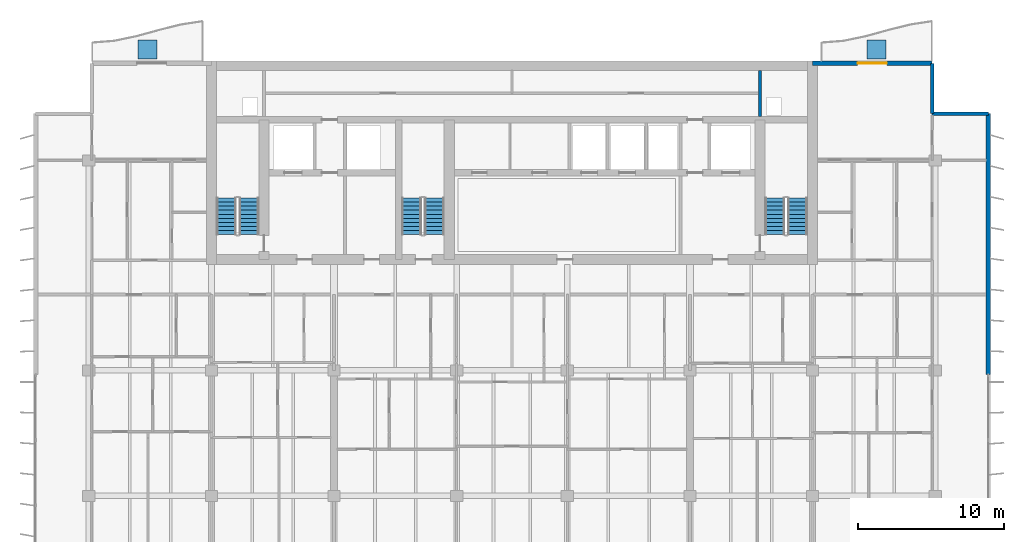
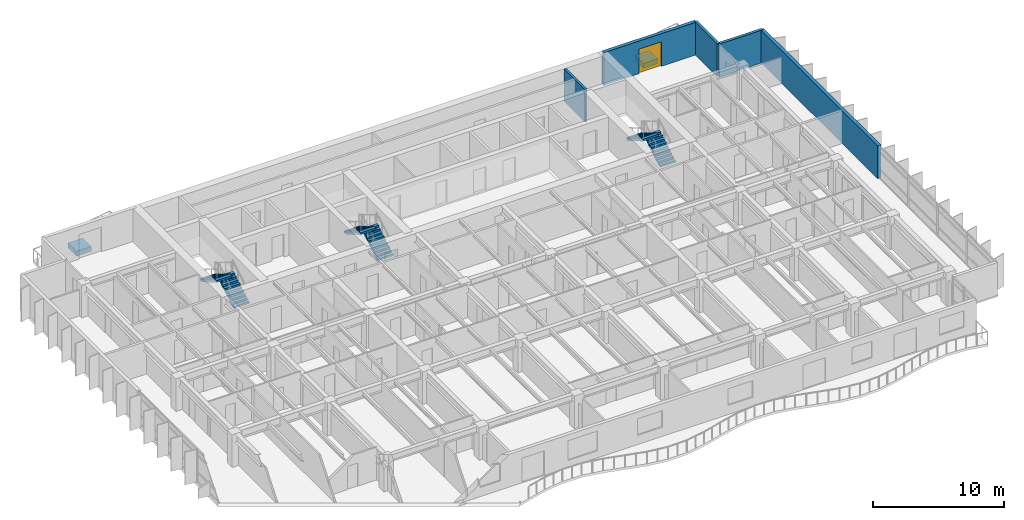
# One storey, part 14 of 18: 6 stair flights, 5 walls, 2 discrete accessories, 1 door, 1 opening, 3 elements without a shape of their own.
"""IFC4 building model written with IfcOpenShell, lengths in metres."""

import ifcopenshell
import ifcopenshell.guid

model = None  # the IFC model being written
_history = None  # IfcOwnerHistory: only IFC2X3 demands one
_inside = {}  # id of a spatial element -> (the spatial element, [elements in it])
_under = {}  # id of a project, library or spatial element -> (it, [spatial elements below it])
_declared = {}  # id of a project -> (the project, [libraries it declares])
_typed = {}  # id of a type object -> (the type object, [elements of that type])
_made_of = {}  # id of a material, layer set ... -> (it, [elements and type objects made of it])


def new_model(schema):
    """Start an empty IFC model of exactly this schema.

    Asked for "IFC4X3", IfcOpenShell would pick the latest addendum, in which some entities
    have other attributes; the version numbers below select the first issue.
    IFC2X3 requires an IfcOwnerHistory on every rooted entity: one is made here for all.
    """
    global model, _history
    if schema == "IFC4X3":
        model = ifcopenshell.file(schema_version=(4, 3, 0, 0))
    else:
        model = ifcopenshell.file(schema=schema)
    _inside.clear()
    _under.clear()
    _declared.clear()
    _typed.clear()
    _made_of.clear()
    _history = None
    if model.schema == "IFC2X3":
        org = make("IfcOrganization", Name="unknown")
        user = make(
            "IfcPersonAndOrganization",
            ThePerson=make("IfcPerson", FamilyName="unknown"),
            TheOrganization=org,
        )
        app = make(
            "IfcApplication",
            ApplicationDeveloper=org,
            Version="unknown",
            ApplicationFullName="unknown",
            ApplicationIdentifier="unknown",
        )
        _history = make(
            "IfcOwnerHistory",
            OwningUser=user,
            OwningApplication=app,
            ChangeAction="ADDED",
            CreationDate=0,
        )
    return model


def make(cls, **values):
    """One entity of the class cls with the attributes given. An attribute that is None is left unset."""
    return model.create_entity(
        cls, **{name: value for name, value in values.items() if value is not None}
    )


def rooted(cls, **values):
    """An entity with a GlobalId (a new one), such as an element, a storey or a relation."""
    return make(cls, GlobalId=ifcopenshell.guid.new(), OwnerHistory=_history, **values)


def si_unit(unit_type, name, prefix=None):
    """IfcSIUnit, for example si_unit("LENGTHUNIT", "METRE", prefix="MILLI")."""
    return make("IfcSIUnit", UnitType=unit_type, Prefix=prefix, Name=name)


def assignment(units):
    """IfcUnitAssignment: the units of a project."""
    return None if units is None else make("IfcUnitAssignment", Units=units)


def point(xyz):
    """IfcCartesianPoint."""
    return None if xyz is None else make("IfcCartesianPoint", Coordinates=xyz)


def direction(xyz):
    """IfcDirection."""
    return None if xyz is None else make("IfcDirection", DirectionRatios=xyz)


def frame(location, z_axis=None, x_axis=None):
    """IfcAxis2Placement3D, a coordinate frame: its origin and axes. An axis left out is left unset."""
    return make(
        "IfcAxis2Placement3D",
        Location=point(location),
        Axis=direction(z_axis),
        RefDirection=direction(x_axis),
    )


def frame_2d(location, x_axis=None):
    """IfcAxis2Placement2D, a coordinate frame in the plane: its origin and x axis."""
    return make(
        "IfcAxis2Placement2D", Location=point(location), RefDirection=direction(x_axis)
    )


def origin():
    """The frame at (0, 0, 0) with its axes left unset."""
    return frame((0.0, 0.0, 0.0))


def origin_2d():
    """The frame at (0, 0) in the plane with its x axis left unset."""
    return frame_2d((0.0, 0.0))


def place(relative_to, where):
    """IfcLocalPlacement: puts the frame where relative to a parent placement (None: the world)."""
    return make(
        "IfcLocalPlacement", PlacementRelTo=relative_to, RelativePlacement=where
    )


def context(
    kind, dimensions, precision=None, world=None, true_north=None, identifier=None
):
    """IfcGeometricRepresentationContext, for example the 3D "Model" context."""
    return make(
        "IfcGeometricRepresentationContext",
        ContextIdentifier=identifier,
        ContextType=kind,
        CoordinateSpaceDimension=dimensions,
        Precision=precision,
        WorldCoordinateSystem=world,
        TrueNorth=true_north,
    )


def subcontext(parent, identifier, kind, view, scale=None):
    """IfcGeometricRepresentationSubContext, for example "Body" below "Model"."""
    return make(
        "IfcGeometricRepresentationSubContext",
        ContextIdentifier=identifier,
        ContextType=kind,
        ParentContext=parent,
        TargetScale=scale,
        TargetView=view,
    )


def project(units=None, contexts=None):
    """IfcProject with its units and contexts."""
    return rooted(
        "IfcProject",
        Name="project",
        RepresentationContexts=contexts,
        UnitsInContext=assignment(units),
    )


def spatial(cls, under=None, at=None, **own):
    """A site, building, storey or space (cls), placed at a placement, below another one or the project."""
    s = rooted(cls, ObjectPlacement=at, **own)
    if under is not None:
        _under.setdefault(under.id(), (under, []))[1].append(s)
    return s


def polyline(points):
    """IfcPolyline through the points."""
    return make("IfcPolyline", Points=[point(p) for p in points])


def profile(cls, at=None, kind="AREA", **sizes):
    """A parametric profile (cls). Its sizes go by their IFC names, for example OverallWidth=200.0."""
    return make(cls, ProfileType=kind, Position=at, **sizes)


def rectangle(**sizes):
    """IfcRectangleProfileDef."""
    return profile("IfcRectangleProfileDef", **sizes)


def outline(outer, holes=None, kind="AREA"):
    """IfcArbitraryClosedProfileDef: a profile drawn as a closed curve; with holes, ...WithVoids."""
    if holes is None:
        return make("IfcArbitraryClosedProfileDef", ProfileType=kind, OuterCurve=outer)
    return make(
        "IfcArbitraryProfileDefWithVoids",
        ProfileType=kind,
        OuterCurve=outer,
        InnerCurves=holes,
    )


def extrude(swept, where, along, depth):
    """IfcExtrudedAreaSolid: the profile swept, set in the frame where, extruded along a direction by depth."""
    return make(
        "IfcExtrudedAreaSolid",
        SweptArea=swept,
        Position=where,
        ExtrudedDirection=direction(along),
        Depth=depth,
    )


def shape(context_of_items, identifier, shape_type, items):
    """IfcShapeRepresentation: the items that make up one representation, for example the "Body"."""
    return make(
        "IfcShapeRepresentation",
        ContextOfItems=context_of_items,
        RepresentationIdentifier=identifier,
        RepresentationType=shape_type,
        Items=items,
    )


def material(Name=None, Category=None):
    """IfcMaterial."""
    return make("IfcMaterial", Name=Name, Category=Category)


def layer(
    of_material, thickness, ventilated=None, Name=None, Category=None, Priority=None
):
    """IfcMaterialLayer: one layer of a wall or slab, of a material (None: an air gap)."""
    return make(
        "IfcMaterialLayer",
        Material=of_material,
        LayerThickness=thickness,
        IsVentilated=ventilated,
        Name=Name,
        Category=Category,
        Priority=Priority,
    )


def layer_set(layers, Name=None):
    """IfcMaterialLayerSet."""
    return make("IfcMaterialLayerSet", MaterialLayers=layers, LayerSetName=Name)


def made_of(thing, what):
    """Note that an element or type object is made of a material, layer set ...; save() writes the relation."""
    if what is not None:
        _made_of.setdefault(what.id(), (what, []))[1].append(thing)
    return thing


def type_object(cls, material=None, **own):
    """A type object (cls), such as IfcWallType, which elements share."""
    return made_of(rooted(cls, **own), material)


def element(
    cls,
    number,
    at=None,
    inside=None,
    cuts=None,
    type_object=None,
    material=None,
    context=None,
    identifier="Body",
    shape_type=None,
    held_by="IfcProductDefinitionShape",
    body=None,
    shapes=None,
    **own,
):
    """One element of the class cls, such as IfcWall. Its Tag is "e" and its number.

    at: its placement. inside: the storey or other place that contains it. cuts: it is an
    opening in that element (IfcRelVoidsElement). A single representation is given by context,
    identifier, shape_type and body (its items); several are given by shapes. held_by: the class
    of the entity that holds the representations. save() writes the other relations.
    """
    e = rooted(cls, Tag="e%d" % number, ObjectPlacement=at, **own)
    if body is not None:
        shapes = [shape(context, identifier, shape_type, body)]
    if shapes is not None:
        e.Representation = make(held_by, Representations=shapes)
    if inside is not None:
        _inside.setdefault(inside.id(), (inside, []))[1].append(e)
    if cuts is not None:
        rooted(
            "IfcRelVoidsElement", RelatingBuildingElement=cuts, RelatedOpeningElement=e
        )
    if type_object is not None:
        _typed.setdefault(type_object.id(), (type_object, []))[1].append(e)
    return made_of(e, material)


def fill(opening, filler):
    """IfcRelFillsElement: the door or window that sits in an opening."""
    return rooted(
        "IfcRelFillsElement",
        RelatingOpeningElement=opening,
        RelatedBuildingElement=filler,
    )


def aggregate(whole, parts):
    """IfcRelAggregates: a whole, such as a stair, and the parts it consists of."""
    return rooted("IfcRelAggregates", RelatingObject=whole, RelatedObjects=parts)


def save(model, path):
    """Write the relations noted so far, then the file.

    IfcRelAggregates (storeys below a building ...), IfcRelContainedInSpatialStructure (elements
    in a storey), IfcRelDefinesByType, IfcRelAssociatesMaterial and IfcRelDeclares: one each for
    every whole, place, type object, material and project.
    """
    for whole, parts in _under.values():
        aggregate(whole, parts)
    for where, things in _inside.values():
        rooted(
            "IfcRelContainedInSpatialStructure",
            RelatedElements=things,
            RelatingStructure=where,
        )
    for kind, things in _typed.values():
        rooted("IfcRelDefinesByType", RelatedObjects=things, RelatingType=kind)
    for what, things in _made_of.values():
        rooted("IfcRelAssociatesMaterial", RelatedObjects=things, RelatingMaterial=what)
    for by, libraries in _declared.values():
        rooted("IfcRelDeclares", RelatingContext=by, RelatedDefinitions=libraries)
    model.write(path)


model = new_model("IFC4")

# Units and contexts
model_context = context("Model", 3, precision=1e-05, world=origin(), true_north=direction((0.0, 1.0)))
body_context = subcontext(model_context, "Body", "Model", "MODEL_VIEW")
ifc_project = project(units=[si_unit("LENGTHUNIT", "METRE"), si_unit("AREAUNIT", "SQUARE_METRE"), si_unit("VOLUMEUNIT", "CUBIC_METRE"), si_unit("PLANEANGLEUNIT", "RADIAN"), si_unit("MASSUNIT", "GRAM", prefix="KILO")], contexts=[model_context])

# Site, building, storey
site_placement = place(None, origin())
site = spatial("IfcSite", under=ifc_project, at=site_placement, CompositionType="ELEMENT")
building_placement = place(site_placement, origin())
building = spatial("IfcBuilding", under=site, at=building_placement, Name="Caelmar Bay Residences", CompositionType="ELEMENT")
storey_placement = place(building_placement, frame((0.0, 0.0, 173.699951171875)))
storey = spatial("IfcBuildingStorey", under=building, at=storey_placement, Name="L48", CompositionType="ELEMENT", Elevation=173.699951171875)

# Walls
ifc_material_1 = material(Name="Precast concrete f'c 40 MPa (6,000 psi)", Category="concrete")
ifc_layer_1 = layer(ifc_material_1, 0.25)
ifc_layer_set_1 = layer_set([ifc_layer_1], Name="Precast concrete f'c 40 MPa (6,000 psi)")
wall_type_1 = type_object("IfcWallType", Name="W-EXT-250", PredefinedType="ELEMENTEDWALL", material=ifc_layer_set_1)
wall_1_placement = place(storey_placement, frame((67.699951171875, 50.449951171875, 0.0), z_axis=(0.0, 0.0, 1.0), x_axis=(0.0, -1.0, 0.0)))
element("IfcWall", 1, at=wall_1_placement, inside=storey, type_object=wall_type_1, Name="L48 NNE-V Notch Wall", PredefinedType="ELEMENTEDWALL", context=body_context, shape_type="SweptSolid", body=[
    extrude(rectangle(XDim=3.449951171875, YDim=0.25, at=frame_2d((1.72509765625, 0.0))), origin(), (0.0, 0.0, 1.0), 3.050048828125),
])
wall_2_placement = place(storey_placement, frame((67.699951171875, 47.0, 0.0), z_axis=(0.0, 0.0, 1.0), x_axis=(1.0, 0.0, 0.0)))
element("IfcWall", 2, at=wall_2_placement, inside=storey, type_object=wall_type_1, Name="L48 NNE-H Notch Wall", PredefinedType="ELEMENTEDWALL", context=body_context, shape_type="SweptSolid", body=[
    extrude(rectangle(XDim=3.85009765625, YDim=0.25, at=frame_2d((1.925048828125, 0.0))), origin(), (0.0, 0.0, 1.0), 3.050048828125),
])
ifc_layer_2 = layer(ifc_material_1, 0.300048828125)
ifc_layer_set_2 = layer_set([ifc_layer_2], Name="Precast concrete f'c 40 MPa (6,000 psi)")
wall_type_2 = type_object("IfcWallType", Name="W-EXT-300", PredefinedType="STANDARD", material=ifc_layer_set_2)
wall_3_placement = place(storey_placement, frame((71.550048828125, 47.0, 0.0), z_axis=(0.0, 0.0, 1.0), x_axis=(0.0, -1.0, 0.0)))
element("IfcWall", 3, at=wall_3_placement, inside=storey, type_object=wall_type_2, Name="L48 East Rear Exterior Wall", PredefinedType="STANDARD", context=body_context, shape_type="SweptSolid", body=[
    extrude(rectangle(XDim=17.89990234375, YDim=0.300048828125, at=frame_2d((8.949951171875, 0.0))), origin(), (0.0, 0.0, 1.0), 3.050048828125),
])

# Wall, opening, door
wall_4_placement = place(storey_placement, frame((59.5, 50.449951171875, 0.0), z_axis=(0.0, 0.0, 1.0), x_axis=(1.0, 0.0, 0.0)))
wall_4 = element("IfcWall", 4, at=wall_4_placement, inside=storey, type_object=wall_type_2, Name="L48 North-East Wing Exterior Wall", PredefinedType="STANDARD", context=body_context, shape_type="SweptSolid", body=[
    extrude(rectangle(XDim=8.199951171875, YDim=0.300048828125, at=frame_2d((4.10009765625, 0.0))), origin(), (0.0, 0.0, 1.0), 3.050048828125),
])
opening_placement = place(wall_4_placement, frame((3.10009765625, 0.0, 0.0)))
opening = element("IfcOpeningElement", 5, at=opening_placement, cuts=wall_4, Name="Opening L48-BDNE", PredefinedType="OPENING", context=body_context, shape_type="SweptSolid", body=[
    extrude(rectangle(XDim=2.0, YDim=2.300048828125, at=frame_2d((1.0, 1.14990234375))), frame((0.0, 0.159912109375, 0.0), z_axis=(0.0, -1.0, 0.0), x_axis=(1.0, 0.0, 0.0)), (0.0, 0.0, 1.0), 0.320068359375),
])
ifc_material_2 = material(Name="Anodised bronze thermally broken sliding glass door", Category="glass")
ifc_layer_3 = layer(ifc_material_2, 0.050048828125)
ifc_layer_set_3 = layer_set([ifc_layer_3], Name="Anodised bronze thermally broken sliding glass door")
door_type = type_object("IfcDoorType", Name="D-BAL-2000", OperationType="DOUBLE_DOOR_SLIDING", PredefinedType="DOOR", material=ifc_layer_set_3)
door_placement = place(opening_placement, origin())
door = element("IfcDoor", 6, at=door_placement, inside=storey, type_object=door_type, Name="L48 North-East Balcony Door", OperationType="DOUBLE_DOOR_SLIDING", OverallHeight=2.300048828125, OverallWidth=2.0, PredefinedType="DOOR", context=body_context, shape_type="SweptSolid", body=[
    extrude(rectangle(XDim=2.0, YDim=2.300048828125, at=frame_2d((1.0, 1.14990234375))), frame((0.0, 0.02490234375, 0.0), z_axis=(0.0, -1.0, 0.0), x_axis=(1.0, 0.0, 0.0)), (0.0, 0.0, 1.0), 0.050048828125),
])
fill(opening, door)

# Wall
ifc_material_3 = material(Name="Fire-rated masonry and gypsum shaftliner assembly 200 mm", Category="masonry")
ifc_layer_4 = layer(ifc_material_3, 0.199951171875)
ifc_layer_set_4 = layer_set([ifc_layer_4], Name="Fire-rated masonry and gypsum shaftliner assembly 200 mm")
wall_type_3 = type_object("IfcWallType", Name="W-FSAE-200", PredefinedType="PARTITIONING", material=ifc_layer_set_4)
wall_5_placement = place(storey_placement, frame((55.89990234375, 46.794921875, 0.0), z_axis=(0.0, 0.0, 1.0), x_axis=(0.0, 1.0, 0.0)))
element("IfcWall", 7, at=wall_5_placement, inside=storey, type_object=wall_type_3, Name="L48 Partition Wall V079", PredefinedType="PARTITIONING", context=body_context, shape_type="SweptSolid", body=[
    extrude(rectangle(XDim=3.16015625, YDim=0.199951171875, at=frame_2d((1.580078125, 0.0))), origin(), (0.0, 0.0, 1.0), 3.050048828125),
])

# Stair, stair flights
ifc_material_4 = material(Name="Concrete f'c 40 MPa (6,000 psi)", Category="concrete")
stair_type = type_object("IfcStairType", Name="ST-TYP-165", PredefinedType="HALF_TURN_STAIR", material=ifc_material_4)
stair_1_placement = place(storey_placement, origin())
stair_1 = element("IfcStair", 8, at=stair_1_placement, inside=storey, type_object=stair_type, Name="L48 West Smokeproof Exit Stair ST1", PredefinedType="HALF_TURN_STAIR")
stair_flight_type = type_object("IfcStairFlightType", Name="STF-1350", PredefinedType="STRAIGHT", material=ifc_material_4)
stair_flight_1_placement = place(storey_placement, frame((20.875, 38.699951171875, 0.0), z_axis=(0.0, 0.0, 1.0), x_axis=(0.0, 1.0, 0.0)))
stair_flight_1 = element("IfcStairFlight", 9, at=stair_flight_1_placement, type_object=stair_flight_type, Name="ST1 flight 1", NumberOfRisers=10, NumberOfTreads=9, PredefinedType="STRAIGHT", RiserHeight=0.165, TreadLength=0.28, context=body_context, shape_type="SweptSolid", body=[
    extrude(outline(polyline([(0.0, 0.0), (0.0, 0.1650390625), (0.280029296875, 0.1650390625), (0.280029296875, 0.330078125), (0.56005859375, 0.330078125), (0.56005859375, 0.4951171875), (0.840087890625, 0.4951171875), (0.840087890625, 0.659912109375), (1.1201171875, 0.659912109375), (1.1201171875, 0.824951171875), (1.39990234375, 0.824951171875), (1.39990234375, 0.989990234375), (1.679931640625, 0.989990234375), (1.679931640625, 1.155029296875), (1.9599609375, 1.155029296875), (1.9599609375, 1.320068359375), (2.239990234375, 1.320068359375), (2.239990234375, 1.485107421875), (2.52001953125, 1.485107421875), (2.52001953125, 1.64990234375), (2.52001953125, 1.31103515625), (0.295166015625, 0.0), (0.0, 0.0)])), frame((0.0, 0.675048828125, 0.0), z_axis=(0.0, -1.0, 0.0), x_axis=(1.0, 0.0, 0.0)), (0.0, 0.0, 1.0), 1.35009765625),
])
stair_flight_2_placement = place(storey_placement, frame((19.324951171875, 41.219970703125, 1.650146484375), z_axis=(0.0, 0.0, 1.0), x_axis=(0.0, -1.0, 0.0)))
stair_flight_2 = element("IfcStairFlight", 10, at=stair_flight_2_placement, type_object=stair_flight_type, Name="ST1 flight 2", NumberOfRisers=10, NumberOfTreads=9, PredefinedType="STRAIGHT", RiserHeight=0.165, TreadLength=0.28, context=body_context, shape_type="SweptSolid", body=[
    extrude(outline(polyline([(0.0, 0.0), (0.0, 0.1650390625), (0.280029296875, 0.1650390625), (0.280029296875, 0.330078125), (0.56005859375, 0.330078125), (0.56005859375, 0.4951171875), (0.840087890625, 0.4951171875), (0.840087890625, 0.659912109375), (1.1201171875, 0.659912109375), (1.1201171875, 0.824951171875), (1.39990234375, 0.824951171875), (1.39990234375, 0.989990234375), (1.679931640625, 0.989990234375), (1.679931640625, 1.155029296875), (1.9599609375, 1.155029296875), (1.9599609375, 1.320068359375), (2.239990234375, 1.320068359375), (2.239990234375, 1.485107421875), (2.52001953125, 1.485107421875), (2.52001953125, 1.64990234375), (2.52001953125, 1.31103515625), (0.295166015625, 0.0), (0.0, 0.0)])), frame((0.0, 0.675048828125, 0.0), z_axis=(0.0, -1.0, 0.0), x_axis=(1.0, 0.0, 0.0)), (0.0, 0.0, 1.0), 1.35009765625),
])
aggregate(stair_1, [stair_flight_1, stair_flight_2])

stair_2_placement = place(storey_placement, origin())
stair_2 = element("IfcStair", 11, at=stair_2_placement, inside=storey, type_object=stair_type, Name="L48 East Smokeproof Exit Stair ST2", PredefinedType="HALF_TURN_STAIR")
stair_flight_3_placement = place(storey_placement, frame((58.47509765625, 38.699951171875, 0.0), z_axis=(0.0, 0.0, 1.0), x_axis=(0.0, 1.0, 0.0)))
stair_flight_3 = element("IfcStairFlight", 12, at=stair_flight_3_placement, type_object=stair_flight_type, Name="ST2 flight 1", NumberOfRisers=10, NumberOfTreads=9, PredefinedType="STRAIGHT", RiserHeight=0.165, TreadLength=0.28, context=body_context, shape_type="SweptSolid", body=[
    extrude(outline(polyline([(0.0, 0.0), (0.0, 0.1650390625), (0.280029296875, 0.1650390625), (0.280029296875, 0.330078125), (0.56005859375, 0.330078125), (0.56005859375, 0.4951171875), (0.840087890625, 0.4951171875), (0.840087890625, 0.659912109375), (1.1201171875, 0.659912109375), (1.1201171875, 0.824951171875), (1.39990234375, 0.824951171875), (1.39990234375, 0.989990234375), (1.679931640625, 0.989990234375), (1.679931640625, 1.155029296875), (1.9599609375, 1.155029296875), (1.9599609375, 1.320068359375), (2.239990234375, 1.320068359375), (2.239990234375, 1.485107421875), (2.52001953125, 1.485107421875), (2.52001953125, 1.64990234375), (2.52001953125, 1.31103515625), (0.295166015625, 0.0), (0.0, 0.0)])), frame((0.0, 0.675048828125, 0.0), z_axis=(0.0, -1.0, 0.0), x_axis=(1.0, 0.0, 0.0)), (0.0, 0.0, 1.0), 1.35009765625),
])
stair_flight_4_placement = place(storey_placement, frame((56.925048828125, 41.219970703125, 1.650146484375), z_axis=(0.0, 0.0, 1.0), x_axis=(0.0, -1.0, 0.0)))
stair_flight_4 = element("IfcStairFlight", 13, at=stair_flight_4_placement, type_object=stair_flight_type, Name="ST2 flight 2", NumberOfRisers=10, NumberOfTreads=9, PredefinedType="STRAIGHT", RiserHeight=0.165, TreadLength=0.28, context=body_context, shape_type="SweptSolid", body=[
    extrude(outline(polyline([(0.0, 0.0), (0.0, 0.1650390625), (0.280029296875, 0.1650390625), (0.280029296875, 0.330078125), (0.56005859375, 0.330078125), (0.56005859375, 0.4951171875), (0.840087890625, 0.4951171875), (0.840087890625, 0.659912109375), (1.1201171875, 0.659912109375), (1.1201171875, 0.824951171875), (1.39990234375, 0.824951171875), (1.39990234375, 0.989990234375), (1.679931640625, 0.989990234375), (1.679931640625, 1.155029296875), (1.9599609375, 1.155029296875), (1.9599609375, 1.320068359375), (2.239990234375, 1.320068359375), (2.239990234375, 1.485107421875), (2.52001953125, 1.485107421875), (2.52001953125, 1.64990234375), (2.52001953125, 1.31103515625), (0.295166015625, 0.0), (0.0, 0.0)])), frame((0.0, 0.675048828125, 0.0), z_axis=(0.0, -1.0, 0.0), x_axis=(1.0, 0.0, 0.0)), (0.0, 0.0, 1.0), 1.35009765625),
])
aggregate(stair_2, [stair_flight_3, stair_flight_4])

stair_3_placement = place(storey_placement, origin())
stair_3 = element("IfcStair", 14, at=stair_3_placement, inside=storey, type_object=stair_type, Name="L48 Central Smokeproof Exit Stair ST3", PredefinedType="HALF_TURN_STAIR")
stair_flight_5_placement = place(storey_placement, frame((33.574951171875, 38.699951171875, 0.0), z_axis=(0.0, 0.0, 1.0), x_axis=(0.0, 1.0, 0.0)))
stair_flight_5 = element("IfcStairFlight", 15, at=stair_flight_5_placement, type_object=stair_flight_type, Name="ST3 flight 1", NumberOfRisers=10, NumberOfTreads=9, PredefinedType="STRAIGHT", RiserHeight=0.165, TreadLength=0.28, context=body_context, shape_type="SweptSolid", body=[
    extrude(outline(polyline([(0.0, 0.0), (0.0, 0.1650390625), (0.280029296875, 0.1650390625), (0.280029296875, 0.330078125), (0.56005859375, 0.330078125), (0.56005859375, 0.4951171875), (0.840087890625, 0.4951171875), (0.840087890625, 0.659912109375), (1.1201171875, 0.659912109375), (1.1201171875, 0.824951171875), (1.39990234375, 0.824951171875), (1.39990234375, 0.989990234375), (1.679931640625, 0.989990234375), (1.679931640625, 1.155029296875), (1.9599609375, 1.155029296875), (1.9599609375, 1.320068359375), (2.239990234375, 1.320068359375), (2.239990234375, 1.485107421875), (2.52001953125, 1.485107421875), (2.52001953125, 1.64990234375), (2.52001953125, 1.31103515625), (0.295166015625, 0.0), (0.0, 0.0)])), frame((0.0, 0.675048828125, 0.0), z_axis=(0.0, -1.0, 0.0), x_axis=(1.0, 0.0, 0.0)), (0.0, 0.0, 1.0), 1.35009765625),
])
stair_flight_6_placement = place(storey_placement, frame((32.02490234375, 41.219970703125, 1.650146484375), z_axis=(0.0, 0.0, 1.0), x_axis=(0.0, -1.0, 0.0)))
stair_flight_6 = element("IfcStairFlight", 16, at=stair_flight_6_placement, type_object=stair_flight_type, Name="ST3 flight 2", NumberOfRisers=10, NumberOfTreads=9, PredefinedType="STRAIGHT", RiserHeight=0.165, TreadLength=0.28, context=body_context, shape_type="SweptSolid", body=[
    extrude(outline(polyline([(0.0, 0.0), (0.0, 0.1650390625), (0.280029296875, 0.1650390625), (0.280029296875, 0.330078125), (0.56005859375, 0.330078125), (0.56005859375, 0.4951171875), (0.840087890625, 0.4951171875), (0.840087890625, 0.659912109375), (1.1201171875, 0.659912109375), (1.1201171875, 0.824951171875), (1.39990234375, 0.824951171875), (1.39990234375, 0.989990234375), (1.679931640625, 0.989990234375), (1.679931640625, 1.155029296875), (1.9599609375, 1.155029296875), (1.9599609375, 1.320068359375), (2.239990234375, 1.320068359375), (2.239990234375, 1.485107421875), (2.52001953125, 1.485107421875), (2.52001953125, 1.64990234375), (2.52001953125, 1.31103515625), (0.295166015625, 0.0), (0.0, 0.0)])), frame((0.0, 0.675048828125, 0.0), z_axis=(0.0, -1.0, 0.0), x_axis=(1.0, 0.0, 0.0)), (0.0, 0.0, 1.0), 1.35009765625),
])
aggregate(stair_3, [stair_flight_5, stair_flight_6])

# Discrete accessories
discrete_accessory_type = type_object("IfcDiscreteAccessoryType", Name="STR-PLANTER-KERB-450", PredefinedType="USERDEFINED", material=ifc_material_1)
for number, where, z_axis, x_axis, name in (
    (17, (13.89990234375, 51.39990234375, 0.0), (0.0, 0.0, 1.0), (1.0, 0.0, 0.0), "L48 north_west Structural Tree Planter Kerb"),
    (18, (63.89990234375, 51.39990234375, 0.0), (0.0, 0.0, 1.0), (1.0, 0.0, 0.0), "L48 north_east Structural Tree Planter Kerb"),
):
    element("IfcDiscreteAccessory", number, at=place(storey_placement, frame(where, z_axis=z_axis, x_axis=x_axis)), inside=storey, type_object=discrete_accessory_type, Name=name, ObjectType="PLANTER", PredefinedType="USERDEFINED", context=body_context, shape_type="SweptSolid", body=[
        extrude(rectangle(XDim=1.300048828125, YDim=1.300048828125, at=origin_2d()), origin(), (0.0, 0.0, 1.0), 0.449951171875),
    ])

save(model, "model.ifc")
